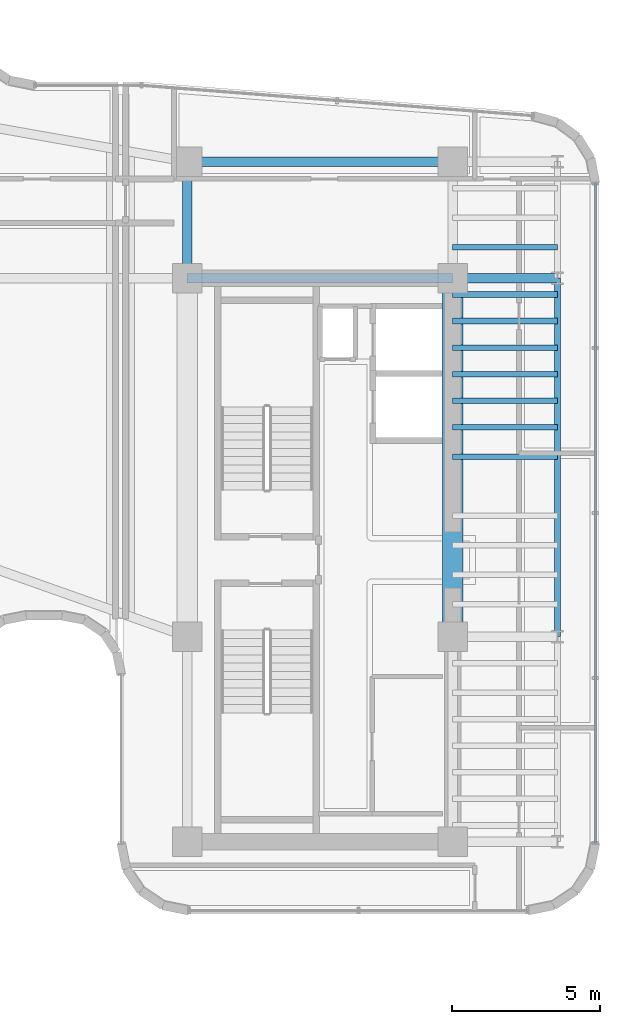
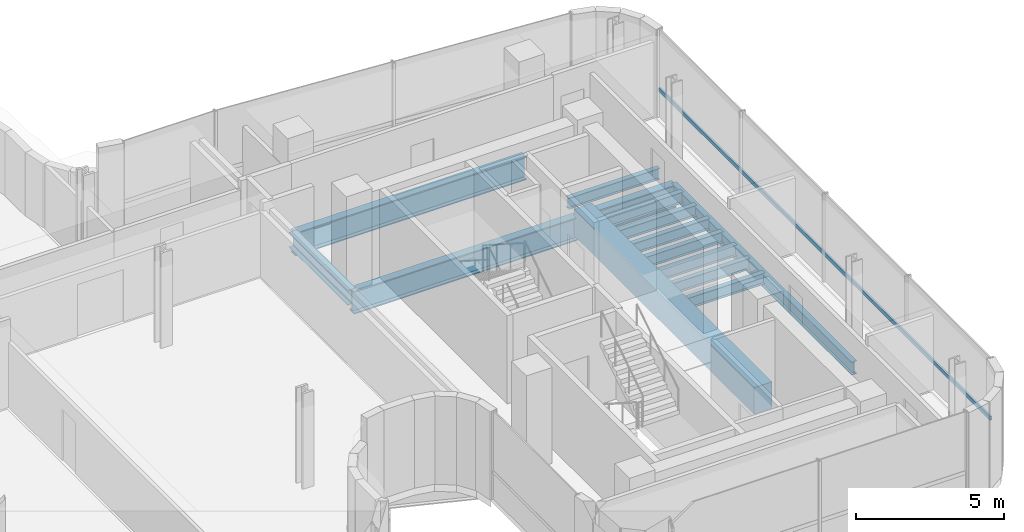
# One storey, part 16 of 37: 14 beams, 1 member, 1 element without a shape of its own.
"""IFC4 building model written with IfcOpenShell, lengths in metres."""

from ifc_helpers import new_model, si_unit, direction, frame, origin, origin_2d, place, context, subcontext, project, spatial, rectangle, hollow_rectangle, i_section, extrude, source, transform, mapped, material, material_profile, profile_set, type_object, element, aggregate, save


model = new_model("IFC4")

# Units and contexts
model_context = context("Model", 3, precision=1e-05, world=origin(), true_north=direction((0.0, 1.0)))
body_context = subcontext(model_context, "Body", "Model", "MODEL_VIEW")
ifc_project = project(units=[si_unit("LENGTHUNIT", "METRE"), si_unit("AREAUNIT", "SQUARE_METRE"), si_unit("VOLUMEUNIT", "CUBIC_METRE"), si_unit("PLANEANGLEUNIT", "RADIAN"), si_unit("MASSUNIT", "GRAM", prefix="KILO")], contexts=[model_context])

# Site, building, storey
site_placement = place(None, origin())
site = spatial("IfcSite", under=ifc_project, at=site_placement, CompositionType="ELEMENT")
building_placement = place(site_placement, origin())
building = spatial("IfcBuilding", under=site, at=building_placement, Name="Valdorenza Pilgrim Sanctuary Tower", CompositionType="ELEMENT")
storey_placement = place(building_placement, frame((0.0, 0.0, 188.39990234375)))
storey = spatial("IfcBuildingStorey", under=building, at=storey_placement, Name="L48", CompositionType="ELEMENT", Elevation=188.39990234375)

# Beams
ifc_material_1 = material(Name="Concrete C50/60", Category="concrete")
ifc_material_profile_1 = material_profile(ifc_material_1, rectangle(XDim=0.699951171875, YDim=1.10009765625, at=origin_2d()), Name="RC 1100x700")
ifc_profile_set_1 = profile_set([ifc_material_profile_1], Name="Concrete C50/60")
beam_type_1 = type_object("IfcBeamType", Name="STR-BM-LNT-1100", PredefinedType="LINTEL", material=ifc_profile_set_1)
shared_shape_1 = source(origin(), body_context, "Body", "SweptSolid", [
    extrude(rectangle(XDim=0.699951171875, YDim=1.10009765625, at=origin_2d()), origin(), (0.0, 0.0, 1.0), 12.150146484375),
])
beam_1_placement = place(storey_placement, frame((24.85009765625, -2.60009765625, -0.58984375), z_axis=(0.0, 1.0, 0.0), x_axis=(-1.0, 0.0, 0.0)))
element("IfcBeam", 1, at=beam_1_placement, inside=storey, type_object=beam_type_1, Name="L48 Core B East Coupling Lintel Girder", PredefinedType="LINTEL", context=body_context, shape_type="MappedRepresentation", body=[
    mapped(shared_shape_1, transform((0.0, 0.0, 0.0), x_axis=(1.0, 0.0, 0.0), y_axis=(0.0, 1.0, 0.0), z_axis=(0.0, 0.0, 1.0), scale=1.0)),
])
ifc_material_2 = material(Name="Steel ASTM A992 Grade 50", Category="steel")
ifc_material_profile_2 = material_profile(ifc_material_2, i_section(OverallWidth=0.323974609375, OverallDepth=0.611083984375, WebThickness=0.0126953125, FlangeThickness=0.01904296875, at=origin_2d()), Name="W24X104")
ifc_profile_set_2 = profile_set([ifc_material_profile_2], Name="Steel ASTM A992 Grade 50")
beam_type_2 = type_object("IfcBeamType", Name="STR-BM-GRD-W24B", PredefinedType="BEAM", material=ifc_profile_set_2)
shared_shape_2 = source(origin(), body_context, "Body", "SweptSolid", [
    extrude(i_section(OverallWidth=0.323974609375, OverallDepth=0.611083984375, WebThickness=0.0126953125, FlangeThickness=0.01904296875, at=origin_2d()), origin(), (0.0, 0.0, 1.0), 3.949951171875),
])
beam_2_placement = place(storey_placement, frame((15.85009765625, 9.550048828125, -0.62548828125), z_axis=(0.0, 1.0, 0.0), x_axis=(-1.0, 0.0, 0.0)))
element("IfcBeam", 2, at=beam_2_placement, inside=storey, type_object=beam_type_2, Name="L48 Core Tie Girder CB-W-N1N2", PredefinedType="BEAM", context=body_context, shape_type="MappedRepresentation", body=[
    mapped(shared_shape_2, transform((0.0, 0.0, 0.0), x_axis=(1.0, 0.0, 0.0), y_axis=(0.0, 1.0, 0.0), z_axis=(0.0, 0.0, 1.0), scale=1.0)),
])
ifc_material_profile_3 = material_profile(ifc_material_2, i_section(OverallWidth=0.19091796875, OverallDepth=0.45703125, WebThickness=0.009033203125, FlangeThickness=0.014404296875, at=origin_2d()), Name="W18X50")
ifc_profile_set_3 = profile_set([ifc_material_profile_3], Name="Steel ASTM A992 Grade 50")
beam_type_3 = type_object("IfcBeamType", Name="STR-BM-JST-W18B", PredefinedType="JOIST", material=ifc_profile_set_3)
shared_shape_3 = source(origin(), body_context, "Body", "SweptSolid", [
    extrude(i_section(OverallWidth=0.19091796875, OverallDepth=0.45703125, WebThickness=0.009033203125, FlangeThickness=0.014404296875, at=origin_2d()), origin(), (0.0, 0.0, 1.0), 3.5498046875),
])
for number, where, z_axis, x_axis, name in (
    (3, (24.85009765625, 3.5, -0.54833984375), (1.0, 0.0, 0.0), (0.0, 1.0, 0.0), "L48 Composite Floor Joist JST-WB-12"),
    (4, (24.85009765625, 4.5, -0.54833984375), (1.0, 0.0, 0.0), (0.0, 1.0, 0.0), "L48 Composite Floor Joist JST-WB-13"),
    (5, (24.85009765625, 5.39990234375, -0.54833984375), (1.0, 0.0, 0.0), (0.0, 1.0, 0.0), "L48 Composite Floor Joist JST-WB-14"),
    (6, (24.85009765625, 6.300048828125, -0.54833984375), (1.0, 0.0, 0.0), (0.0, 1.0, 0.0), "L48 Composite Floor Joist JST-WB-15"),
    (7, (24.85009765625, 7.199951171875, -0.54833984375), (1.0, 0.0, 0.0), (0.0, 1.0, 0.0), "L48 Composite Floor Joist JST-WB-16"),
    (8, (24.85009765625, 8.10009765625, -0.54833984375), (1.0, 0.0, 0.0), (0.0, 1.0, 0.0), "L48 Composite Floor Joist JST-WB-17"),
    (9, (24.85009765625, 9.0, -0.54833984375), (1.0, 0.0, 0.0), (0.0, 1.0, 0.0), "L48 Composite Floor Joist JST-WB-18"),
    (10, (24.85009765625, 10.60009765625, -0.54833984375), (1.0, 0.0, 0.0), (0.0, 1.0, 0.0), "L48 Composite Floor Joist JST-WB-19"),
):
    element("IfcBeam", number, at=place(storey_placement, frame(where, z_axis=z_axis, x_axis=x_axis)), inside=storey, type_object=beam_type_3, Name=name, PredefinedType="JOIST", context=body_context, shape_type="MappedRepresentation", body=[
        mapped(shared_shape_3, transform((0.0, 0.0, 0.0), x_axis=(1.0, 0.0, 0.0), y_axis=(0.0, 1.0, 0.0), z_axis=(0.0, 0.0, 1.0), scale=1.0)),
    ])
ifc_material_profile_4 = material_profile(ifc_material_2, i_section(OverallWidth=0.2109375, OverallDepth=0.5390625, WebThickness=0.01171875, FlangeThickness=0.018798828125, at=origin_2d()), Name="W21X73")
ifc_profile_set_4 = profile_set([ifc_material_profile_4], Name="Steel ASTM A992 Grade 50")
beam_type_4 = type_object("IfcBeamType", Name="STR-BM-SPN-W21B", PredefinedType="SPANDREL", material=ifc_profile_set_4)
shared_shape_4 = source(origin(), body_context, "Body", "SweptSolid", [
    extrude(i_section(OverallWidth=0.2109375, OverallDepth=0.5390625, WebThickness=0.01171875, FlangeThickness=0.018798828125, at=origin_2d()), origin(), (0.0, 0.0, 1.0), 12.150146484375),
])
beam_3_placement = place(storey_placement, frame((28.39990234375, -2.60009765625, -0.58935546875), z_axis=(0.0, 1.0, 0.0), x_axis=(-1.0, 0.0, 0.0)))
element("IfcBeam", 11, at=beam_3_placement, inside=storey, type_object=beam_type_4, Name="L48 Spandrel Beam WB-E-M0N1", PredefinedType="SPANDREL", context=body_context, shape_type="MappedRepresentation", body=[
    mapped(shared_shape_4, transform((0.0, 0.0, 0.0), x_axis=(1.0, 0.0, 0.0), y_axis=(0.0, 1.0, 0.0), z_axis=(0.0, 0.0, 1.0), scale=1.0)),
])
ifc_material_profile_5 = material_profile(ifc_material_2, i_section(OverallWidth=0.31005859375, OverallDepth=0.949951171875, WebThickness=0.0244140625, FlangeThickness=0.0439453125, at=origin_2d()), Name="W36X256")
ifc_profile_set_5 = profile_set([ifc_material_profile_5], Name="Steel ASTM A992 Grade 50")
beam_type_5 = type_object("IfcBeamType", Name="STR-BM-GRD-W36B", PredefinedType="BEAM", material=ifc_profile_set_5)
shared_shape_5 = source(origin(), body_context, "Body", "SweptSolid", [
    extrude(i_section(OverallWidth=0.31005859375, OverallDepth=0.949951171875, WebThickness=0.0244140625, FlangeThickness=0.0439453125, at=origin_2d()), origin(), (0.0, 0.0, 1.0), 9.0),
])
for number, where, z_axis, x_axis, name in (
    (12, (15.85009765625, 9.550048828125, -0.794921875), (1.0, 0.0, 0.0), (0.0, 1.0, 0.0), "L48 Floor Girder CB-XC-N1"),
    (13, (15.85009765625, 13.5, -0.794921875), (1.0, 0.0, 0.0), (0.0, 1.0, 0.0), "L48 Floor Girder CB-XC-N2"),
):
    element("IfcBeam", number, at=place(storey_placement, frame(where, z_axis=z_axis, x_axis=x_axis)), inside=storey, type_object=beam_type_5, Name=name, PredefinedType="BEAM", context=body_context, shape_type="MappedRepresentation", body=[
        mapped(shared_shape_5, transform((0.0, 0.0, 0.0), x_axis=(1.0, 0.0, 0.0), y_axis=(0.0, 1.0, 0.0), z_axis=(0.0, 0.0, 1.0), scale=1.0)),
    ])
shared_shape_6 = source(origin(), body_context, "Body", "SweptSolid", [
    extrude(i_section(OverallWidth=0.31005859375, OverallDepth=0.949951171875, WebThickness=0.0244140625, FlangeThickness=0.0439453125, at=origin_2d()), origin(), (0.0, 0.0, 1.0), 3.5498046875),
])
beam_4_placement = place(storey_placement, frame((24.85009765625, 9.550048828125, -0.794921875), z_axis=(1.0, 0.0, 0.0), x_axis=(0.0, 1.0, 0.0)))
element("IfcBeam", 14, at=beam_4_placement, inside=storey, type_object=beam_type_5, Name="L48 Floor Girder WB-XE-N1", PredefinedType="BEAM", context=body_context, shape_type="MappedRepresentation", body=[
    mapped(shared_shape_6, transform((0.0, 0.0, 0.0), x_axis=(1.0, 0.0, 0.0), y_axis=(0.0, 1.0, 0.0), z_axis=(0.0, 0.0, 1.0), scale=1.0)),
])

# Curtain wall, member
ifc_material_3 = material(Name="Curtain-wall IGU glazing", Category="glass")
curtain_wall_type = type_object("IfcCurtainWallType", Name="CW-SYS-03", PredefinedType="NOTDEFINED", material=ifc_material_3)
curtain_wall_placement = place(storey_placement, origin())
curtain_wall = element("IfcCurtainWall", 15, at=curtain_wall_placement, inside=storey, type_object=curtain_wall_type, Name="L48 Curtain Wall CW-L48-1-37", PredefinedType="NOTDEFINED")
ifc_material_4 = material(Name="Anodised aluminium AW-6060", Category="aluminium")
ifc_material_profile_6 = material_profile(ifc_material_4, hollow_rectangle(XDim=0.074951171875, YDim=0.159912109375, WallThickness=0.00390625, at=origin_2d()), Name="ALU-T 160x75x4")
ifc_profile_set_6 = profile_set([ifc_material_profile_6], Name="Anodised aluminium AW-6060")
member_type = type_object("IfcMemberType", Name="CW-TRN-03", PredefinedType="USERDEFINED", material=ifc_profile_set_6)
shared_shape_7 = source(origin(), body_context, "Body", "SweptSolid", [
    extrude(hollow_rectangle(XDim=0.074951171875, YDim=0.159912109375, WallThickness=0.00390625, at=origin_2d()), origin(), (0.0, 0.0, 1.0), 22.357421875),
])
member_placement = place(storey_placement, frame((29.68994140625, 12.768310546875, 1.1201171875), z_axis=(0.0, -1.0, 0.0), x_axis=(1.0, 0.0, 0.0)))
member = element("IfcMember", 16, at=member_placement, type_object=member_type, Name="CW-L48-1-37 Transom 1", ObjectType="TRANSOM", PredefinedType="USERDEFINED", context=body_context, shape_type="MappedRepresentation", body=[
    mapped(shared_shape_7, transform((0.0, 0.0, 0.0), x_axis=(1.0, 0.0, 0.0), y_axis=(0.0, 1.0, 0.0), z_axis=(0.0, 0.0, 1.0), scale=1.0)),
])
aggregate(curtain_wall, [member])

save(model, "model.ifc")
